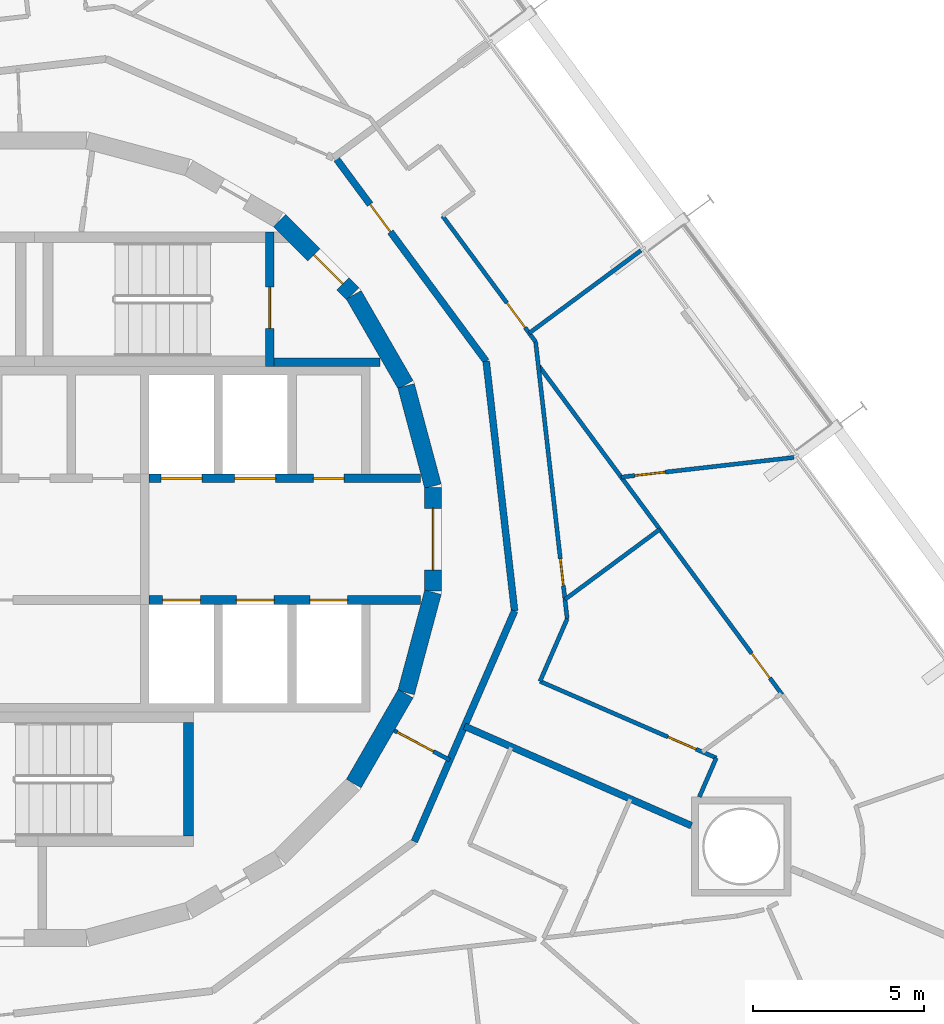
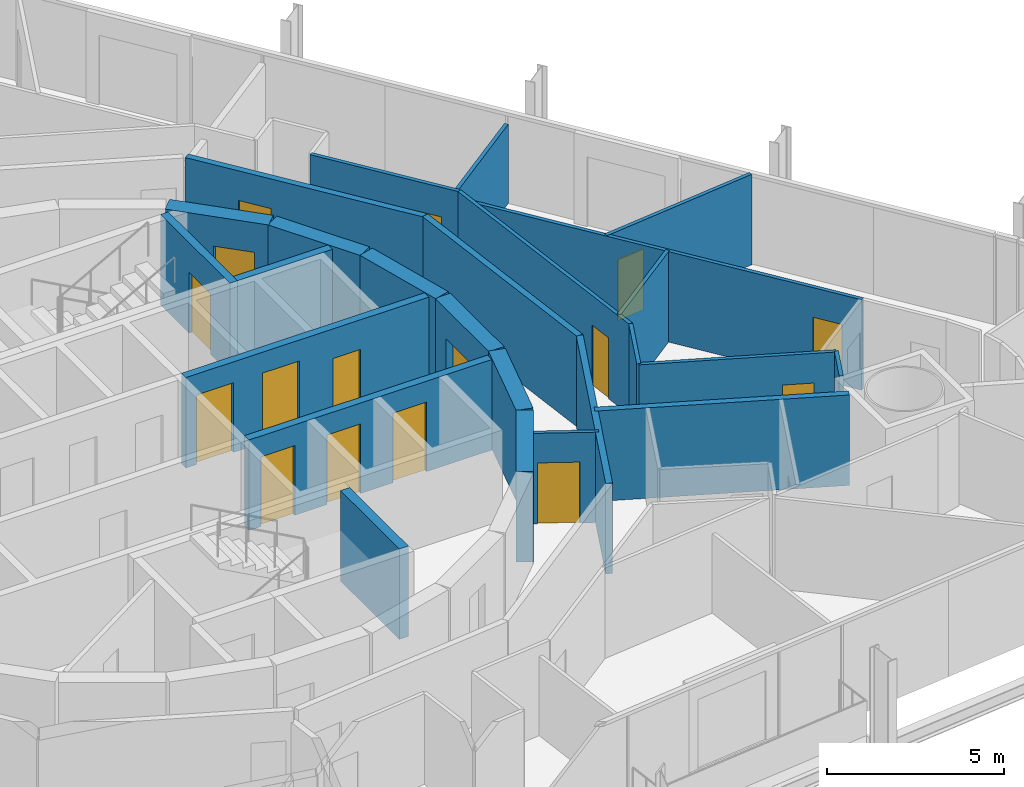
# One storey, part 17 of 21: 25 walls, 16 doors, 16 openings.
"""IFC4 building model written with IfcOpenShell, lengths in metres."""

from ifc_helpers import new_model, si_unit, direction, frame, frame_2d, origin, place, context, subcontext, project, spatial, rectangle, extrude, material, layer, layer_set, type_object, element, fill, save


model = new_model("IFC4")

# Units and contexts
model_context = context("Model", 3, precision=1e-05, world=origin(), true_north=direction((0.0, 1.0)))
body_context = subcontext(model_context, "Body", "Model", "MODEL_VIEW")
ifc_project = project(units=[si_unit("LENGTHUNIT", "METRE"), si_unit("AREAUNIT", "SQUARE_METRE"), si_unit("VOLUMEUNIT", "CUBIC_METRE"), si_unit("PLANEANGLEUNIT", "RADIAN"), si_unit("MASSUNIT", "GRAM", prefix="KILO")], contexts=[model_context])

# Site, building, storey
site_placement = place(None, origin())
site = spatial("IfcSite", under=ifc_project, at=site_placement, CompositionType="ELEMENT")
building_placement = place(site_placement, origin())
building = spatial("IfcBuilding", under=site, at=building_placement, Name="Spindle Arch Residences", CompositionType="ELEMENT")
storey_placement = place(building_placement, frame((0.0, 0.0, 97.699951171875)))
storey = spatial("IfcBuildingStorey", under=building, at=storey_placement, Name="L23", CompositionType="ELEMENT", Elevation=97.699951171875)

# Walls
ifc_material_1 = material(Name="Concrete C50/60", Category="concrete")
ifc_layer_1 = layer(ifc_material_1, 0.5)
ifc_layer_set_1 = layer_set([ifc_layer_1], Name="Core outline wall 500")
wall_type_1 = type_object("IfcWallType", Name="Core outline wall 500", PredefinedType="SHEAR", material=ifc_layer_set_1)
for number, where, z_axis, x_axis, name in (
    (1, (9.32861328125, -7.13671875, 0.0), (0.0, 0.0, 1.0), (0.500087131594, 0.865975092491, 0.0), "Core outline wall 4"),
    (2, (10.858154296875, -4.479248046875, 0.0), (0.0, 0.0, 1.0), (0.258734743916, 0.965948410781, 0.0), "Core outline wall 5"),
):
    element("IfcWall", number, at=place(storey_placement, frame(where, z_axis=z_axis, x_axis=x_axis)), inside=storey, type_object=wall_type_1, Name=name, PredefinedType="SHEAR", context=body_context, shape_type="SweptSolid", body=[
        extrude(rectangle(XDim=3.03271484375, YDim=0.5, at=frame_2d((1.516357421875, 0.0))), origin(), (0.0, 0.0, 1.0), 3.1201171875),
    ])

# Wall, opening, door
wall_1_placement = place(storey_placement, frame((11.647216796875, -1.516357421875, 0.0), z_axis=(0.0, 0.0, 1.0), x_axis=(0.0, 1.0, 0.0)))
wall_1 = element("IfcWall", 3, at=wall_1_placement, inside=storey, type_object=wall_type_1, Name="Core outline wall 6", PredefinedType="SHEAR", context=body_context, shape_type="SweptSolid", body=[
    extrude(rectangle(XDim=3.03271484375, YDim=0.5, at=frame_2d((1.516357421875, 0.0))), origin(), (0.0, 0.0, 1.0), 3.1201171875),
])
opening_1_placement = place(wall_1_placement, frame((0.6162109375, 0.0, 0.0)))
opening_1 = element("IfcOpeningElement", 4, at=opening_1_placement, cuts=wall_1, Name="Opening R2C0-FE01", PredefinedType="OPENING", context=body_context, shape_type="SweptSolid", body=[
    extrude(rectangle(XDim=1.800048828125, YDim=2.10009765625, at=frame_2d((0.89990234375, 1.050048828125))), frame((0.0, 0.260009765625, 0.0), z_axis=(0.0, -1.0, 0.0), x_axis=(1.0, 0.0, 0.0)), (0.0, 0.0, 1.0), 0.52001953125),
])
ifc_material_2 = material(Name="Steel, fire-resisting door", Category="steel")
door_type_1 = type_object("IfcDoorType", Name="Fire-lift lobby door 1800x2100", OperationType="DOUBLE_DOOR_SINGLE_SWING", PredefinedType="DOOR", material=ifc_material_2)
door_1_placement = place(opening_1_placement, origin())
door_1 = element("IfcDoor", 5, at=door_1_placement, inside=storey, type_object=door_type_1, Name="Fire-lift lobby door R2C0-FE01", OperationType="DOUBLE_DOOR_SINGLE_SWING", OverallHeight=2.10009765625, OverallWidth=1.800048828125, PredefinedType="DOOR", context=body_context, shape_type="SweptSolid", body=[
    extrude(rectangle(XDim=1.800048828125, YDim=2.10009765625, at=frame_2d((0.89990234375, 1.050048828125))), frame((0.0, 0.02490234375, 0.0), z_axis=(0.0, -1.0, 0.0), x_axis=(1.0, 0.0, 0.0)), (0.0, 0.0, 1.0), 0.050048828125),
])
fill(opening_1, door_1)

# Walls
for number, where, z_axis, x_axis, name in (
    (6, (11.642822265625, 1.5498046875, 0.0), (0.0, 0.0, 1.0), (-0.258734743916, 0.965948410781, 0.0), "Core outline wall 7"),
    (7, (10.84521484375, 4.510498046875, 0.0), (0.0, 0.0, 1.0), (-0.500087131594, 0.865975092491, 0.0), "Core outline wall 8"),
):
    element("IfcWall", number, at=place(storey_placement, frame(where, z_axis=z_axis, x_axis=x_axis)), inside=storey, type_object=wall_type_1, Name=name, PredefinedType="SHEAR", context=body_context, shape_type="SweptSolid", body=[
        extrude(rectangle(XDim=3.03271484375, YDim=0.5, at=frame_2d((1.516357421875, 0.0))), origin(), (0.0, 0.0, 1.0), 3.1201171875),
    ])

# Wall, opening, door
wall_2_placement = place(storey_placement, frame((9.30810546875, 7.163818359375, 0.0), z_axis=(0.0, 0.0, 1.0), x_axis=(-0.707106781187, 0.707106781187, 0.0)))
wall_2 = element("IfcWall", 8, at=wall_2_placement, inside=storey, type_object=wall_type_1, Name="Core outline wall 9", PredefinedType="SHEAR", context=body_context, shape_type="SweptSolid", body=[
    extrude(rectangle(XDim=3.032470703125, YDim=0.5, at=frame_2d((1.51611328125, 0.0))), origin(), (0.0, 0.0, 1.0), 3.1201171875),
])
opening_2_placement = place(wall_2_placement, frame((0.416259765625, 0.0, 0.0)))
opening_2 = element("IfcOpeningElement", 9, at=opening_2_placement, cuts=wall_2, Name="Opening R2C0-AD01", PredefinedType="OPENING", context=body_context, shape_type="SweptSolid", body=[
    extrude(rectangle(XDim=1.199951171875, YDim=2.10009765625, at=frame_2d((0.60009765625, 1.050048828125))), frame((0.0, 0.260009765625, 0.0), z_axis=(0.0, -1.0, 0.0), x_axis=(1.0, 0.0, 0.0)), (0.0, 0.0, 1.0), 0.52001953125),
])
ifc_material_3 = material(Name="Steel, fire-resisting door", Category="steel")
door_type_2 = type_object("IfcDoorType", Name="Stair airlock door 1200x2100", OperationType="SINGLE_SWING_LEFT", PredefinedType="DOOR", material=ifc_material_3)
door_2_placement = place(opening_2_placement, origin())
door_2 = element("IfcDoor", 10, at=door_2_placement, inside=storey, type_object=door_type_2, Name="Stair airlock door R2C0-AD01", OperationType="SINGLE_SWING_RIGHT", OverallHeight=2.10009765625, OverallWidth=1.199951171875, PredefinedType="DOOR", context=body_context, shape_type="SweptSolid", body=[
    extrude(rectangle(XDim=1.199951171875, YDim=2.10009765625, at=frame_2d((0.60009765625, 1.050048828125))), frame((0.0, 0.02490234375, 0.0), z_axis=(0.0, -1.0, 0.0), x_axis=(1.0, 0.0, 0.0)), (0.0, 0.0, 1.0), 0.050048828125),
])
fill(opening_2, door_2)

ifc_material_4 = material(Name="Plasterboard on steel studs", Category="steel")
ifc_layer_2 = layer(ifc_material_4, 0.1201171875)
ifc_layer_set_2 = layer_set([ifc_layer_2], Name="Corridor division wall 120")
wall_type_2 = type_object("IfcWallType", Name="Corridor division wall 120", PredefinedType="PARTITIONING", material=ifc_layer_set_2)
wall_3_placement = place(storey_placement, frame((10.510986328125, -5.5888671875, 0.0), z_axis=(0.0, 0.0, 1.0), x_axis=(0.882962602189, -0.469443333253, 0.0)))
wall_3 = element("IfcWall", 11, at=wall_3_placement, inside=storey, type_object=wall_type_2, Name="Corridor division wall R2C0-W002", PredefinedType="PARTITIONING", context=body_context, shape_type="SweptSolid", body=[
    extrude(rectangle(XDim=1.837890625, YDim=0.1201171875, at=frame_2d((0.9189453125, 0.0))), origin(), (0.0, 0.0, 1.0), 3.1201171875),
])
opening_3_placement = place(wall_3_placement, frame((0.10009765625, 0.0, 0.0)))
opening_3 = element("IfcOpeningElement", 12, at=opening_3_placement, cuts=wall_3, Name="Opening R2C0-CD02", PredefinedType="OPENING", context=body_context, shape_type="SweptSolid", body=[
    extrude(rectangle(XDim=1.199951171875, YDim=2.10009765625, at=frame_2d((0.60009765625, 1.050048828125))), frame((0.0, 0.070068359375, 0.0), z_axis=(0.0, -1.0, 0.0), x_axis=(1.0, 0.0, 0.0)), (0.0, 0.0, 1.0), 0.14013671875),
])
ifc_material_5 = material(Name="Steel, fire-resisting door", Category="steel")
door_type_3 = type_object("IfcDoorType", Name="Corridor division door 1200x2100", OperationType="NOTDEFINED", PredefinedType="DOOR", material=ifc_material_5)
door_3_placement = place(opening_3_placement, origin())
door_3 = element("IfcDoor", 13, at=door_3_placement, inside=storey, type_object=door_type_3, Name="Corridor division door R2C0-CD02", OperationType="DOUBLE_DOOR_SINGLE_SWING", OverallHeight=2.10009765625, OverallWidth=1.199951171875, PredefinedType="DOOR", context=body_context, shape_type="SweptSolid", body=[
    extrude(rectangle(XDim=1.199951171875, YDim=2.10009765625, at=frame_2d((0.60009765625, 1.050048828125))), frame((0.0, 0.02490234375, 0.0), z_axis=(0.0, -1.0, 0.0), x_axis=(1.0, 0.0, 0.0)), (0.0, 0.0, 1.0), 0.050048828125),
])
fill(opening_3, door_3)

# Walls
ifc_material_6 = material(Name="Calcium silicate block, plastered")
ifc_layer_3 = layer(ifc_material_6, 0.199951171875)
ifc_layer_set_3 = layer_set([ifc_layer_3], Name="Corridor wall 200")
wall_type_3 = type_object("IfcWallType", Name="Corridor wall 200", PredefinedType="STANDARD", material=ifc_layer_set_3)
for number, where, z_axis, x_axis, name in (
    (14, (11.10009765625, -8.829345703125, 0.0), (0.0, 0.0, 1.0), (0.398741918631, 0.917063183388, 0.0), "Corridor wall R2C0-W004"),
    (15, (14.027587890625, -2.096435546875, 0.0), (0.0, 0.0, 1.0), (-0.113226782163, 0.993569170114, 0.0), "Corridor wall R2C0-W005"),
):
    element("IfcWall", number, at=place(storey_placement, frame(where, z_axis=z_axis, x_axis=x_axis)), inside=storey, type_object=wall_type_3, Name=name, PredefinedType="STANDARD", context=body_context, shape_type="SweptSolid", body=[
        extrude(rectangle(XDim=7.341796875, YDim=0.199951171875, at=frame_2d((3.6708984375, 0.0))), origin(), (0.0, 0.0, 1.0), 3.1201171875),
    ])

# Wall, opening, door
wall_4_placement = place(storey_placement, frame((13.1962890625, 5.1982421875, 0.0), z_axis=(0.0, 0.0, 1.0), x_axis=(-0.594805187394, 0.803869883159, 0.0)))
wall_4 = element("IfcWall", 16, at=wall_4_placement, inside=storey, type_object=wall_type_3, Name="Corridor wall R2C0-W006", PredefinedType="STANDARD", context=body_context, shape_type="SweptSolid", body=[
    extrude(rectangle(XDim=7.341796875, YDim=0.199951171875, at=frame_2d((3.6708984375, 0.0))), origin(), (0.0, 0.0, 1.0), 3.1201171875),
])
opening_4_placement = place(wall_4_placement, frame((4.699951171875, 0.0, 0.0)))
opening_4 = element("IfcOpeningElement", 17, at=opening_4_placement, cuts=wall_4, Name="Opening R2C0-FD01", PredefinedType="OPENING", context=body_context, shape_type="SweptSolid", body=[
    extrude(rectangle(XDim=1.0, YDim=2.10009765625, at=frame_2d((0.5, 1.050048828125))), frame((0.0, 0.10986328125, 0.0), z_axis=(0.0, -1.0, 0.0), x_axis=(1.0, 0.0, 0.0)), (0.0, 0.0, 1.0), 0.219970703125),
])
ifc_material_7 = material(Name="Timber, fire-resisting door set", Category="wood")
door_type_4 = type_object("IfcDoorType", Name="Flat entrance door 1000x2100", OperationType="NOTDEFINED", PredefinedType="DOOR", material=ifc_material_7)
door_4_placement = place(opening_4_placement, origin())
door_4 = element("IfcDoor", 18, at=door_4_placement, inside=storey, type_object=door_type_4, Name="Flat entrance door R2C0-FD01", OperationType="SINGLE_SWING_RIGHT", OverallHeight=2.10009765625, OverallWidth=1.0, PredefinedType="DOOR", context=body_context, shape_type="SweptSolid", body=[
    extrude(rectangle(XDim=1.0, YDim=2.10009765625, at=frame_2d((0.5, 1.050048828125))), frame((0.0, 0.02490234375, 0.0), z_axis=(0.0, -1.0, 0.0), x_axis=(1.0, 0.0, 0.0)), (0.0, 0.0, 1.0), 0.050048828125),
])
fill(opening_4, door_4)

# Wall, openings, doors
ifc_material_8 = material(Name="Concrete C40/50", Category="concrete")
ifc_layer_4 = layer(ifc_material_8, 0.25)
ifc_layer_set_4 = layer_set([ifc_layer_4], Name="Fire-lift lobby wall 250")
wall_type_4 = type_object("IfcWallType", Name="Fire-lift lobby wall 250", PredefinedType="SHEAR", material=ifc_layer_set_4)
wall_5_placement = place(storey_placement, frame((3.35009765625, 1.77490234375, 0.0), z_axis=(0.0, 0.0, 1.0), x_axis=(1.0, 0.0, 0.0)))
wall_5 = element("IfcWall", 19, at=wall_5_placement, inside=storey, type_object=wall_type_4, Name="Lift shaft front wall NE", PredefinedType="SHEAR", context=body_context, shape_type="SweptSolid", body=[
    extrude(rectangle(XDim=7.929931640625, YDim=0.25, at=frame_2d((3.96484375, 0.0))), origin(), (0.0, 0.0, 1.0), 3.1201171875),
])
opening_5_placement = place(wall_5_placement, frame((0.35009765625, 0.0, 0.0)))
opening_5 = element("IfcOpeningElement", 20, at=opening_5_placement, cuts=wall_5, Name="Opening R2C0-SLD01", PredefinedType="OPENING", context=body_context, shape_type="SweptSolid", body=[
    extrude(rectangle(XDim=1.199951171875, YDim=2.39990234375, at=frame_2d((0.60009765625, 1.199951171875))), frame((0.0, 0.135009765625, 0.0), z_axis=(0.0, -1.0, 0.0), x_axis=(1.0, 0.0, 0.0)), (0.0, 0.0, 1.0), 0.27001953125),
])
opening_6_placement = place(wall_5_placement, frame((2.5, 0.0, 0.0)))
opening_6 = element("IfcOpeningElement", 21, at=opening_6_placement, cuts=wall_5, Name="Opening R2C0-SLD02", PredefinedType="OPENING", context=body_context, shape_type="SweptSolid", body=[
    extrude(rectangle(XDim=1.199951171875, YDim=2.39990234375, at=frame_2d((0.60009765625, 1.199951171875))), frame((0.0, 0.135009765625, 0.0), z_axis=(0.0, -1.0, 0.0), x_axis=(1.0, 0.0, 0.0)), (0.0, 0.0, 1.0), 0.27001953125),
])
opening_7_placement = place(wall_5_placement, frame((4.800048828125, 0.0, 0.0)))
opening_7 = element("IfcOpeningElement", 22, at=opening_7_placement, cuts=wall_5, Name="Opening R2C0-WD03", PredefinedType="OPENING", context=body_context, shape_type="SweptSolid", body=[
    extrude(rectangle(XDim=0.89990234375, YDim=2.10009765625, at=frame_2d((0.449951171875, 1.050048828125))), frame((0.0, 0.135009765625, 0.0), z_axis=(0.0, -1.0, 0.0), x_axis=(1.0, 0.0, 0.0)), (0.0, 0.0, 1.0), 0.27001953125),
])
ifc_material_9 = material(Name="Steel, fire-resisting landing door", Category="steel")
door_type_5 = type_object("IfcDoorType", Name="Service lift landing door 1200x2400", OperationType="DOUBLE_DOOR_SLIDING", PredefinedType="DOOR", material=ifc_material_9)
door_5_placement = place(opening_5_placement, origin())
door_5 = element("IfcDoor", 23, at=door_5_placement, inside=storey, type_object=door_type_5, Name="Service lift landing door R2C0-SLD01", OperationType="DOUBLE_DOOR_SLIDING", OverallHeight=2.39990234375, OverallWidth=1.199951171875, PredefinedType="DOOR", context=body_context, shape_type="SweptSolid", body=[
    extrude(rectangle(XDim=1.199951171875, YDim=2.39990234375, at=frame_2d((0.60009765625, 1.199951171875))), frame((0.0, 0.02490234375, 0.0), z_axis=(0.0, -1.0, 0.0), x_axis=(1.0, 0.0, 0.0)), (0.0, 0.0, 1.0), 0.050048828125),
])
fill(opening_5, door_5)
door_6_placement = place(opening_6_placement, origin())
door_6 = element("IfcDoor", 24, at=door_6_placement, inside=storey, type_object=door_type_5, Name="Service lift landing door R2C0-SLD02", OperationType="DOUBLE_DOOR_SLIDING", OverallHeight=2.39990234375, OverallWidth=1.199951171875, PredefinedType="DOOR", context=body_context, shape_type="SweptSolid", body=[
    extrude(rectangle(XDim=1.199951171875, YDim=2.39990234375, at=frame_2d((0.60009765625, 1.199951171875))), frame((0.0, 0.02490234375, 0.0), z_axis=(0.0, -1.0, 0.0), x_axis=(1.0, 0.0, 0.0)), (0.0, 0.0, 1.0), 0.050048828125),
])
fill(opening_6, door_6)
ifc_material_10 = material(Name="Steel, fire-resisting door", Category="steel")
door_type_6 = type_object("IfcDoorType", Name="Service room door 900x2100", OperationType="SINGLE_SWING_LEFT", PredefinedType="DOOR", material=ifc_material_10)
door_7_placement = place(opening_7_placement, origin())
door_7 = element("IfcDoor", 25, at=door_7_placement, inside=storey, type_object=door_type_6, Name="Service room door R2C0-WD03", OperationType="SINGLE_SWING_RIGHT", OverallHeight=2.10009765625, OverallWidth=0.89990234375, PredefinedType="DOOR", context=body_context, shape_type="SweptSolid", body=[
    extrude(rectangle(XDim=0.89990234375, YDim=2.10009765625, at=frame_2d((0.449951171875, 1.050048828125))), frame((0.0, 0.02490234375, 0.0), z_axis=(0.0, -1.0, 0.0), x_axis=(1.0, 0.0, 0.0)), (0.0, 0.0, 1.0), 0.050048828125),
])
fill(opening_7, door_7)

ifc_material_11 = material(Name="Concrete C50/60", Category="concrete")
ifc_layer_5 = layer(ifc_material_11, 0.25)
ifc_layer_set_5 = layer_set([ifc_layer_5], Name="Fire-lift shaft wall 250")
wall_type_5 = type_object("IfcWallType", Name="Fire-lift shaft wall 250", PredefinedType="SHEAR", material=ifc_layer_set_5)
wall_6_placement = place(storey_placement, frame((3.35009765625, -1.77490234375, 0.0), z_axis=(0.0, 0.0, 1.0), x_axis=(1.0, 0.0, 0.0)))
wall_6 = element("IfcWall", 26, at=wall_6_placement, inside=storey, type_object=wall_type_5, Name="Lift shaft front wall SE", PredefinedType="SHEAR", context=body_context, shape_type="SweptSolid", body=[
    extrude(rectangle(XDim=7.929931640625, YDim=0.25, at=frame_2d((3.96484375, 0.0))), origin(), (0.0, 0.0, 1.0), 3.1201171875),
])
opening_8_placement = place(wall_6_placement, frame((0.39990234375, 0.0, 0.0)))
opening_8 = element("IfcOpeningElement", 27, at=opening_8_placement, cuts=wall_6, Name="Opening R2C0-FLD01", PredefinedType="OPENING", context=body_context, shape_type="SweptSolid", body=[
    extrude(rectangle(XDim=1.10009765625, YDim=2.39990234375, at=frame_2d((0.550048828125, 1.199951171875))), frame((0.0, 0.135009765625, 0.0), z_axis=(0.0, -1.0, 0.0), x_axis=(1.0, 0.0, 0.0)), (0.0, 0.0, 1.0), 0.27001953125),
])
opening_9_placement = place(wall_6_placement, frame((2.550048828125, 0.0, 0.0)))
opening_9 = element("IfcOpeningElement", 28, at=opening_9_placement, cuts=wall_6, Name="Opening R2C0-FLD02", PredefinedType="OPENING", context=body_context, shape_type="SweptSolid", body=[
    extrude(rectangle(XDim=1.10009765625, YDim=2.39990234375, at=frame_2d((0.550048828125, 1.199951171875))), frame((0.0, 0.135009765625, 0.0), z_axis=(0.0, -1.0, 0.0), x_axis=(1.0, 0.0, 0.0)), (0.0, 0.0, 1.0), 0.27001953125),
])
opening_10_placement = place(wall_6_placement, frame((4.699951171875, 0.0, 0.0)))
opening_10 = element("IfcOpeningElement", 29, at=opening_10_placement, cuts=wall_6, Name="Opening R2C0-FLD03", PredefinedType="OPENING", context=body_context, shape_type="SweptSolid", body=[
    extrude(rectangle(XDim=1.10009765625, YDim=2.39990234375, at=frame_2d((0.550048828125, 1.199951171875))), frame((0.0, 0.135009765625, 0.0), z_axis=(0.0, -1.0, 0.0), x_axis=(1.0, 0.0, 0.0)), (0.0, 0.0, 1.0), 0.27001953125),
])
ifc_material_12 = material(Name="Steel, fire-resisting landing door", Category="steel")
door_type_7 = type_object("IfcDoorType", Name="Fire-fighting lift landing door 1100x2400", OperationType="DOUBLE_DOOR_SLIDING", PredefinedType="DOOR", material=ifc_material_12)
door_8_placement = place(opening_8_placement, origin())
door_8 = element("IfcDoor", 30, at=door_8_placement, inside=storey, type_object=door_type_7, Name="Fire-fighting lift landing door R2C0-FLD01", OperationType="DOUBLE_DOOR_SLIDING", OverallHeight=2.39990234375, OverallWidth=1.10009765625, PredefinedType="DOOR", context=body_context, shape_type="SweptSolid", body=[
    extrude(rectangle(XDim=1.10009765625, YDim=2.39990234375, at=frame_2d((0.550048828125, 1.199951171875))), frame((0.0, 0.02490234375, 0.0), z_axis=(0.0, -1.0, 0.0), x_axis=(1.0, 0.0, 0.0)), (0.0, 0.0, 1.0), 0.050048828125),
])
fill(opening_8, door_8)
door_9_placement = place(opening_9_placement, origin())
door_9 = element("IfcDoor", 31, at=door_9_placement, inside=storey, type_object=door_type_7, Name="Fire-fighting lift landing door R2C0-FLD02", OperationType="DOUBLE_DOOR_SLIDING", OverallHeight=2.39990234375, OverallWidth=1.10009765625, PredefinedType="DOOR", context=body_context, shape_type="SweptSolid", body=[
    extrude(rectangle(XDim=1.10009765625, YDim=2.39990234375, at=frame_2d((0.550048828125, 1.199951171875))), frame((0.0, 0.02490234375, 0.0), z_axis=(0.0, -1.0, 0.0), x_axis=(1.0, 0.0, 0.0)), (0.0, 0.0, 1.0), 0.050048828125),
])
fill(opening_9, door_9)
door_10_placement = place(opening_10_placement, origin())
door_10 = element("IfcDoor", 32, at=door_10_placement, inside=storey, type_object=door_type_7, Name="Fire-fighting lift landing door R2C0-FLD03", OperationType="DOUBLE_DOOR_SLIDING", OverallHeight=2.39990234375, OverallWidth=1.10009765625, PredefinedType="DOOR", context=body_context, shape_type="SweptSolid", body=[
    extrude(rectangle(XDim=1.10009765625, YDim=2.39990234375, at=frame_2d((0.550048828125, 1.199951171875))), frame((0.0, 0.02490234375, 0.0), z_axis=(0.0, -1.0, 0.0), x_axis=(1.0, 0.0, 0.0)), (0.0, 0.0, 1.0), 0.050048828125),
])
fill(opening_10, door_10)

# Wall, opening, door
ifc_material_13 = material(Name="Plasterboard on steel studs", Category="steel")
ifc_layer_6 = layer(ifc_material_13, 0.1201171875)
ifc_layer_set_6 = layer_set([ifc_layer_6], Name="Flat partition 120")
wall_type_6 = type_object("IfcWallType", Name="Flat partition 120", PredefinedType="PARTITIONING", material=ifc_layer_set_6)
wall_7_placement = place(storey_placement, frame((15.563232421875, -2.325927734375, 0.0), z_axis=(0.0, 0.0, 1.0), x_axis=(-0.11320423706, 0.993571739087, 0.0)))
wall_7 = element("IfcWall", 33, at=wall_7_placement, inside=storey, type_object=wall_type_6, Name="Flat partition R2C0-W029", PredefinedType="PARTITIONING", context=body_context, shape_type="SweptSolid", body=[
    extrude(rectangle(XDim=8.1455078125, YDim=0.1201171875, at=frame_2d((4.07275390625, 0.0))), origin(), (0.0, 0.0, 1.0), 3.1201171875),
])
opening_11_placement = place(wall_7_placement, frame((0.9697265625, 0.0, 0.0)))
opening_11 = element("IfcOpeningElement", 34, at=opening_11_placement, cuts=wall_7, Name="Opening R2C0-BD01", PredefinedType="OPENING", context=body_context, shape_type="SweptSolid", body=[
    extrude(rectangle(XDim=0.800048828125, YDim=2.10009765625, at=frame_2d((0.39990234375, 1.050048828125))), frame((0.0, 0.070068359375, 0.0), z_axis=(0.0, -1.0, 0.0), x_axis=(1.0, 0.0, 0.0)), (0.0, 0.0, 1.0), 0.14013671875),
])
ifc_material_14 = material(Name="Timber door set", Category="wood")
door_type_8 = type_object("IfcDoorType", Name="Bathroom door 800x2100", OperationType="NOTDEFINED", PredefinedType="DOOR", material=ifc_material_14)
door_11_placement = place(opening_11_placement, origin())
door_11 = element("IfcDoor", 35, at=door_11_placement, inside=storey, type_object=door_type_8, Name="Bathroom door R2C0-BD01", OperationType="SINGLE_SWING_LEFT", OverallHeight=2.10009765625, OverallWidth=0.800048828125, PredefinedType="DOOR", context=body_context, shape_type="SweptSolid", body=[
    extrude(rectangle(XDim=0.800048828125, YDim=2.10009765625, at=frame_2d((0.39990234375, 1.050048828125))), frame((0.0, 0.02490234375, 0.0), z_axis=(0.0, -1.0, 0.0), x_axis=(1.0, 0.0, 0.0)), (0.0, 0.0, 1.0), 0.050048828125),
])
fill(opening_11, door_11)

wall_8_placement = place(storey_placement, frame((14.64111328125, 5.767333984375, 0.0), z_axis=(0.0, 0.0, 1.0), x_axis=(-0.594785744505, 0.803884269117, 0.0)))
wall_8 = element("IfcWall", 36, at=wall_8_placement, inside=storey, type_object=wall_type_6, Name="Flat partition R2C0-W030", PredefinedType="PARTITIONING", context=body_context, shape_type="SweptSolid", body=[
    extrude(rectangle(XDim=4.573486328125, YDim=0.1201171875, at=frame_2d((2.28662109375, 0.0))), origin(), (0.0, 0.0, 1.0), 3.1201171875),
])
opening_12_placement = place(wall_8_placement, frame((0.513427734375, 0.0, 0.0)))
opening_12 = element("IfcOpeningElement", 37, at=opening_12_placement, cuts=wall_8, Name="Opening R2C0-ID01", PredefinedType="OPENING", context=body_context, shape_type="SweptSolid", body=[
    extrude(rectangle(XDim=0.89990234375, YDim=2.10009765625, at=frame_2d((0.449951171875, 1.050048828125))), frame((0.0, 0.070068359375, 0.0), z_axis=(0.0, -1.0, 0.0), x_axis=(1.0, 0.0, 0.0)), (0.0, 0.0, 1.0), 0.14013671875),
])
ifc_material_15 = material(Name="Timber door set", Category="wood")
door_type_9 = type_object("IfcDoorType", Name="Room door 900x2100", OperationType="NOTDEFINED", PredefinedType="DOOR", material=ifc_material_15)
door_12_placement = place(opening_12_placement, origin())
door_12 = element("IfcDoor", 38, at=door_12_placement, inside=storey, type_object=door_type_9, Name="Room door R2C0-ID01", OperationType="SINGLE_SWING_LEFT", OverallHeight=2.10009765625, OverallWidth=0.89990234375, PredefinedType="DOOR", context=body_context, shape_type="SweptSolid", body=[
    extrude(rectangle(XDim=0.89990234375, YDim=2.10009765625, at=frame_2d((0.449951171875, 1.050048828125))), frame((0.0, 0.02490234375, 0.0), z_axis=(0.0, -1.0, 0.0), x_axis=(1.0, 0.0, 0.0)), (0.0, 0.0, 1.0), 0.050048828125),
])
fill(opening_12, door_12)

# Wall
wall_9_placement = place(storey_placement, frame((19.4228515625, -7.52783203125, 0.0), z_axis=(0.0, 0.0, 1.0), x_axis=(0.398733304334, 0.917066928863, 0.0)))
element("IfcWall", 39, at=wall_9_placement, inside=storey, type_object=wall_type_6, Name="Flat partition R2C0-W035", PredefinedType="PARTITIONING", context=body_context, shape_type="SweptSolid", body=[
    extrude(rectangle(XDim=1.2412109375, YDim=0.1201171875, at=frame_2d((0.62060546875, 0.0))), origin(), (0.0, 0.0, 1.0), 3.1201171875),
])

# Wall, opening, door
wall_10_placement = place(storey_placement, frame((19.917724609375, -6.3896484375, 0.0), z_axis=(0.0, 0.0, 1.0), x_axis=(-0.917051386612, 0.39876904884, 0.0)))
wall_10 = element("IfcWall", 40, at=wall_10_placement, inside=storey, type_object=wall_type_6, Name="Flat partition R2C0-W036", PredefinedType="PARTITIONING", context=body_context, shape_type="SweptSolid", body=[
    extrude(rectangle(XDim=5.613525390625, YDim=0.1201171875, at=frame_2d((2.806640625, 0.0))), origin(), (0.0, 0.0, 1.0), 3.1201171875),
])
opening_13_placement = place(wall_10_placement, frame((0.641357421875, 0.0, 0.0)))
opening_13 = element("IfcOpeningElement", 41, at=opening_13_placement, cuts=wall_10, Name="Opening R2C0-ID02", PredefinedType="OPENING", context=body_context, shape_type="SweptSolid", body=[
    extrude(rectangle(XDim=0.89990234375, YDim=2.10009765625, at=frame_2d((0.449951171875, 1.050048828125))), frame((0.0, 0.070068359375, 0.0), z_axis=(0.0, -1.0, 0.0), x_axis=(1.0, 0.0, 0.0)), (0.0, 0.0, 1.0), 0.14013671875),
])
door_13_placement = place(opening_13_placement, origin())
door_13 = element("IfcDoor", 42, at=door_13_placement, inside=storey, type_object=door_type_9, Name="Room door R2C0-ID02", OperationType="SINGLE_SWING_LEFT", OverallHeight=2.10009765625, OverallWidth=0.89990234375, PredefinedType="DOOR", context=body_context, shape_type="SweptSolid", body=[
    extrude(rectangle(XDim=0.89990234375, YDim=2.10009765625, at=frame_2d((0.449951171875, 1.050048828125))), frame((0.0, 0.02490234375, 0.0), z_axis=(0.0, -1.0, 0.0), x_axis=(1.0, 0.0, 0.0)), (0.0, 0.0, 1.0), 0.050048828125),
])
fill(opening_13, door_13)

# Wall
wall_11_placement = place(storey_placement, frame((14.769775390625, -4.151123046875, 0.0), z_axis=(0.0, 0.0, 1.0), x_axis=(0.39868125503, 0.917089557725, 0.0)))
element("IfcWall", 43, at=wall_11_placement, inside=storey, type_object=wall_type_6, Name="Flat partition R2C0-W037", PredefinedType="PARTITIONING", context=body_context, shape_type="SweptSolid", body=[
    extrude(rectangle(XDim=1.990234375, YDim=0.1201171875, at=frame_2d((0.9951171875, 0.0))), origin(), (0.0, 0.0, 1.0), 3.1201171875),
])

# Wall, opening, door
wall_12_placement = place(storey_placement, frame((21.842041015625, -4.539794921875, 0.0), z_axis=(0.0, 0.0, 1.0), x_axis=(-0.59481744951, 0.803860809941, 0.0)))
wall_12 = element("IfcWall", 44, at=wall_12_placement, inside=storey, type_object=wall_type_6, Name="Flat partition R2C0-W038", PredefinedType="PARTITIONING", context=body_context, shape_type="SweptSolid", body=[
    extrude(rectangle(XDim=11.9755859375, YDim=0.1201171875, at=frame_2d((5.98779296875, 0.0))), origin(), (0.0, 0.0, 1.0), 3.1201171875),
])
opening_14_placement = place(wall_12_placement, frame((0.60009765625, 0.0, 0.0)))
opening_14 = element("IfcOpeningElement", 45, at=opening_14_placement, cuts=wall_12, Name="Opening R2C0-ID04", PredefinedType="OPENING", context=body_context, shape_type="SweptSolid", body=[
    extrude(rectangle(XDim=0.89990234375, YDim=2.10009765625, at=frame_2d((0.449951171875, 1.050048828125))), frame((0.0, 0.070068359375, 0.0), z_axis=(0.0, -1.0, 0.0), x_axis=(1.0, 0.0, 0.0)), (0.0, 0.0, 1.0), 0.14013671875),
])
door_14_placement = place(opening_14_placement, origin())
door_14 = element("IfcDoor", 46, at=door_14_placement, inside=storey, type_object=door_type_9, Name="Room door R2C0-ID04", OperationType="SINGLE_SWING_LEFT", OverallHeight=2.10009765625, OverallWidth=0.89990234375, PredefinedType="DOOR", context=body_context, shape_type="SweptSolid", body=[
    extrude(rectangle(XDim=0.89990234375, YDim=2.10009765625, at=frame_2d((0.449951171875, 1.050048828125))), frame((0.0, 0.02490234375, 0.0), z_axis=(0.0, -1.0, 0.0), x_axis=(1.0, 0.0, 0.0)), (0.0, 0.0, 1.0), 0.050048828125),
])
fill(opening_14, door_14)

# Wall
wall_13_placement = place(storey_placement, frame((15.498779296875, -1.760009765625, 0.0), z_axis=(0.0, 0.0, 1.0), x_axis=(0.803852063114, 0.59482927015, 0.0)))
element("IfcWall", 47, at=wall_13_placement, inside=storey, type_object=wall_type_6, Name="Flat partition R2C0-W039", PredefinedType="PARTITIONING", context=body_context, shape_type="SweptSolid", body=[
    extrude(rectangle(XDim=3.445556640625, YDim=0.1201171875, at=frame_2d((1.72265625, 0.0))), origin(), (0.0, 0.0, 1.0), 3.1201171875),
])

# Wall, opening, door
wall_14_placement = place(storey_placement, frame((17.140869140625, 1.813720703125, 0.0), z_axis=(0.0, 0.0, 1.0), x_axis=(0.993575814944, 0.113168458319, 0.0)))
wall_14 = element("IfcWall", 48, at=wall_14_placement, inside=storey, type_object=wall_type_6, Name="Flat partition R2C0-W041", PredefinedType="PARTITIONING", context=body_context, shape_type="SweptSolid", body=[
    extrude(rectangle(XDim=5.08056640625, YDim=0.1201171875, at=frame_2d((2.540283203125, 0.0))), origin(), (0.0, 0.0, 1.0), 3.1201171875),
])
opening_15_placement = place(wall_14_placement, frame((0.39990234375, 0.0, 0.0)))
opening_15 = element("IfcOpeningElement", 49, at=opening_15_placement, cuts=wall_14, Name="Opening R2C0-ID05", PredefinedType="OPENING", context=body_context, shape_type="SweptSolid", body=[
    extrude(rectangle(XDim=0.89990234375, YDim=2.10009765625, at=frame_2d((0.449951171875, 1.050048828125))), frame((0.0, 0.070068359375, 0.0), z_axis=(0.0, -1.0, 0.0), x_axis=(1.0, 0.0, 0.0)), (0.0, 0.0, 1.0), 0.14013671875),
])
door_15_placement = place(opening_15_placement, origin())
door_15 = element("IfcDoor", 50, at=door_15_placement, inside=storey, type_object=door_type_9, Name="Room door R2C0-ID05", OperationType="SINGLE_SWING_LEFT", OverallHeight=2.10009765625, OverallWidth=0.89990234375, PredefinedType="DOOR", context=body_context, shape_type="SweptSolid", body=[
    extrude(rectangle(XDim=0.89990234375, YDim=2.10009765625, at=frame_2d((0.449951171875, 1.050048828125))), frame((0.0, 0.02490234375, 0.0), z_axis=(0.0, -1.0, 0.0), x_axis=(1.0, 0.0, 0.0)), (0.0, 0.0, 1.0), 0.050048828125),
])
fill(opening_15, door_15)

# Walls
ifc_material_16 = material(Name="Plasterboard on steel studs", Category="steel")
ifc_layer_7 = layer(ifc_material_16, 0.1201171875)
ifc_layer_set_7 = layer_set([ifc_layer_7], Name="Flat partition 120 under beam 2730")
wall_type_7 = type_object("IfcWallType", Name="Flat partition 120 under beam 2730", PredefinedType="PARTITIONING", material=ifc_layer_set_7)
wall_15_placement = place(storey_placement, frame((17.716552734375, 8.432861328125, 0.0), z_axis=(0.0, 0.0, 1.0), x_axis=(-0.803853407146, -0.594827453821, 0.0)))
element("IfcWall", 51, at=wall_15_placement, inside=storey, type_object=wall_type_7, Name="Flat partition R2C0-W040", PredefinedType="PARTITIONING", context=body_context, shape_type="SweptSolid", body=[
    extrude(rectangle(XDim=4.0576171875, YDim=0.1201171875, at=frame_2d((2.02880859375, 0.0))), origin(), (0.0, 0.0, 1.0), 2.72998046875),
])
ifc_material_17 = material(Name="Calcium silicate block, plastered")
ifc_layer_8 = layer(ifc_material_17, 0.199951171875)
ifc_layer_set_8 = layer_set([ifc_layer_8], Name="Flat party wall 200")
wall_type_8 = type_object("IfcWallType", Name="Flat party wall 200", PredefinedType="STANDARD", material=ifc_layer_set_8)
wall_16_placement = place(storey_placement, frame((12.563720703125, -5.462890625, 0.0), z_axis=(0.0, 0.0, 1.0), x_axis=(0.915914014963, -0.401374534812, 0.0)))
element("IfcWall", 52, at=wall_16_placement, inside=storey, type_object=wall_type_8, Name="Flat party wall R2C0-W017", PredefinedType="STANDARD", context=body_context, shape_type="SweptSolid", body=[
    extrude(rectangle(XDim=7.23583984375, YDim=0.199951171875, at=frame_2d((3.617919921875, 0.0))), origin(), (0.0, 0.0, 1.0), 3.1201171875),
])
ifc_material_18 = material(Name="Concrete C40/50", Category="concrete")
ifc_layer_9 = layer(ifc_material_18, 0.25)
ifc_layer_set_9 = layer_set([ifc_layer_9], Name="Stair airlock wall 250")
wall_type_9 = type_object("IfcWallType", Name="Stair airlock wall 250", PredefinedType="SHEAR", material=ifc_layer_set_9)
wall_17_placement = place(storey_placement, frame((7.0, 5.175048828125, 0.0), z_axis=(0.0, 0.0, 1.0), x_axis=(1.0, 0.0, 0.0)))
element("IfcWall", 53, at=wall_17_placement, inside=storey, type_object=wall_type_9, Name="Stair ST-1 airlock wall S", PredefinedType="SHEAR", context=body_context, shape_type="SweptSolid", body=[
    extrude(rectangle(XDim=3.10009765625, YDim=0.25, at=frame_2d((1.550048828125, 0.0))), origin(), (0.0, 0.0, 1.0), 3.1201171875),
])

# Wall, opening, door
ifc_material_19 = material(Name="Concrete C50/60", Category="concrete")
ifc_layer_10 = layer(ifc_material_19, 0.25)
ifc_layer_set_10 = layer_set([ifc_layer_10], Name="Stair enclosure wall 250")
wall_type_10 = type_object("IfcWallType", Name="Stair enclosure wall 250", PredefinedType="SHEAR", material=ifc_layer_set_10)
wall_18_placement = place(storey_placement, frame((6.875, 5.050048828125, 0.0), z_axis=(0.0, 0.0, 1.0), x_axis=(0.0, 1.0, 0.0)))
wall_18 = element("IfcWall", 54, at=wall_18_placement, inside=storey, type_object=wall_type_10, Name="Stair ST-1 door wall", PredefinedType="SHEAR", context=body_context, shape_type="SweptSolid", body=[
    extrude(rectangle(XDim=3.919921875, YDim=0.25, at=frame_2d((1.9599609375, 0.0))), origin(), (0.0, 0.0, 1.0), 3.1201171875),
])
opening_16_placement = place(wall_18_placement, frame((1.110107421875, 0.0, 0.0)))
opening_16 = element("IfcOpeningElement", 55, at=opening_16_placement, cuts=wall_18, Name="Opening R2C0-SD01", PredefinedType="OPENING", context=body_context, shape_type="SweptSolid", body=[
    extrude(rectangle(XDim=1.199951171875, YDim=2.10009765625, at=frame_2d((0.60009765625, 1.050048828125))), frame((0.0, 0.135009765625, 0.0), z_axis=(0.0, -1.0, 0.0), x_axis=(1.0, 0.0, 0.0)), (0.0, 0.0, 1.0), 0.27001953125),
])
ifc_material_20 = material(Name="Steel, fire-resisting door", Category="steel")
door_type_10 = type_object("IfcDoorType", Name="Stair door 1200x2100", OperationType="SINGLE_SWING_RIGHT", PredefinedType="DOOR", material=ifc_material_20)
door_16_placement = place(opening_16_placement, origin())
door_16 = element("IfcDoor", 56, at=door_16_placement, inside=storey, type_object=door_type_10, Name="Stair door R2C0-SD01", OperationType="SINGLE_SWING_LEFT", OverallHeight=2.10009765625, OverallWidth=1.199951171875, PredefinedType="DOOR", context=body_context, shape_type="SweptSolid", body=[
    extrude(rectangle(XDim=1.199951171875, YDim=2.10009765625, at=frame_2d((0.60009765625, 1.050048828125))), frame((0.0, 0.02490234375, 0.0), z_axis=(0.0, -1.0, 0.0), x_axis=(1.0, 0.0, 0.0)), (0.0, 0.0, 1.0), 0.050048828125),
])
fill(opening_16, door_16)

# Wall
ifc_material_21 = material(Name="Concrete C50/60", Category="concrete")
ifc_layer_11 = layer(ifc_material_21, 0.300048828125)
ifc_layer_set_11 = layer_set([ifc_layer_11], Name="Stair enclosure wall 300")
wall_type_11 = type_object("IfcWallType", Name="Stair enclosure wall 300", PredefinedType="SHEAR", material=ifc_layer_set_11)
wall_19_placement = place(storey_placement, frame((4.5, -8.669921875, 0.0), z_axis=(0.0, 0.0, 1.0), x_axis=(0.0, 1.0, 0.0)))
element("IfcWall", 57, at=wall_19_placement, inside=storey, type_object=wall_type_11, Name="Stair ST-3 enclosure wall E", PredefinedType="SHEAR", context=body_context, shape_type="SweptSolid", body=[
    extrude(rectangle(XDim=3.31982421875, YDim=0.300048828125, at=frame_2d((1.659912109375, 0.0))), origin(), (0.0, 0.0, 1.0), 3.1201171875),
])

save(model, "model.ifc")
